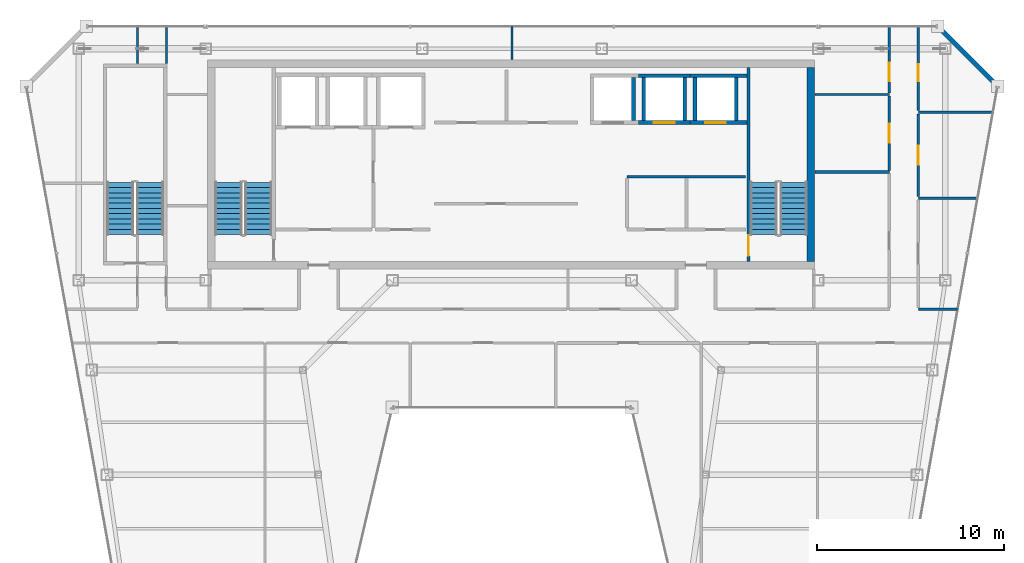
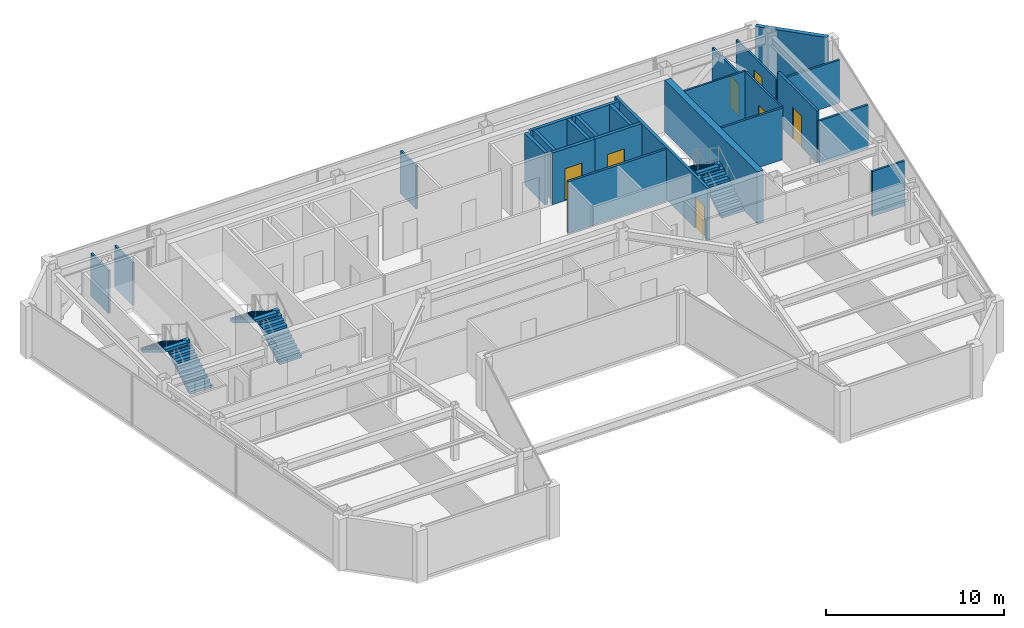
# One storey, part 29 of 32: 25 walls, 7 doors, 6 stair flights, 7 openings, 3 elements without a shape of their own.
"""IFC4 building model written with IfcOpenShell, lengths in metres."""

import ifcopenshell
import ifcopenshell.guid

model = None  # the IFC model being written
_history = None  # IfcOwnerHistory: only IFC2X3 demands one
_inside = {}  # id of a spatial element -> (the spatial element, [elements in it])
_under = {}  # id of a project, library or spatial element -> (it, [spatial elements below it])
_declared = {}  # id of a project -> (the project, [libraries it declares])
_typed = {}  # id of a type object -> (the type object, [elements of that type])
_made_of = {}  # id of a material, layer set ... -> (it, [elements and type objects made of it])


def new_model(schema):
    """Start an empty IFC model of exactly this schema.

    Asked for "IFC4X3", IfcOpenShell would pick the latest addendum, in which some entities
    have other attributes; the version numbers below select the first issue.
    IFC2X3 requires an IfcOwnerHistory on every rooted entity: one is made here for all.
    """
    global model, _history
    if schema == "IFC4X3":
        model = ifcopenshell.file(schema_version=(4, 3, 0, 0))
    else:
        model = ifcopenshell.file(schema=schema)
    _inside.clear()
    _under.clear()
    _declared.clear()
    _typed.clear()
    _made_of.clear()
    _history = None
    if model.schema == "IFC2X3":
        org = make("IfcOrganization", Name="unknown")
        user = make(
            "IfcPersonAndOrganization",
            ThePerson=make("IfcPerson", FamilyName="unknown"),
            TheOrganization=org,
        )
        app = make(
            "IfcApplication",
            ApplicationDeveloper=org,
            Version="unknown",
            ApplicationFullName="unknown",
            ApplicationIdentifier="unknown",
        )
        _history = make(
            "IfcOwnerHistory",
            OwningUser=user,
            OwningApplication=app,
            ChangeAction="ADDED",
            CreationDate=0,
        )
    return model


def make(cls, **values):
    """One entity of the class cls with the attributes given. An attribute that is None is left unset."""
    return model.create_entity(
        cls, **{name: value for name, value in values.items() if value is not None}
    )


def rooted(cls, **values):
    """An entity with a GlobalId (a new one), such as an element, a storey or a relation."""
    return make(cls, GlobalId=ifcopenshell.guid.new(), OwnerHistory=_history, **values)


def si_unit(unit_type, name, prefix=None):
    """IfcSIUnit, for example si_unit("LENGTHUNIT", "METRE", prefix="MILLI")."""
    return make("IfcSIUnit", UnitType=unit_type, Prefix=prefix, Name=name)


def assignment(units):
    """IfcUnitAssignment: the units of a project."""
    return None if units is None else make("IfcUnitAssignment", Units=units)


def point(xyz):
    """IfcCartesianPoint."""
    return None if xyz is None else make("IfcCartesianPoint", Coordinates=xyz)


def direction(xyz):
    """IfcDirection."""
    return None if xyz is None else make("IfcDirection", DirectionRatios=xyz)


def frame(location, z_axis=None, x_axis=None):
    """IfcAxis2Placement3D, a coordinate frame: its origin and axes. An axis left out is left unset."""
    return make(
        "IfcAxis2Placement3D",
        Location=point(location),
        Axis=direction(z_axis),
        RefDirection=direction(x_axis),
    )


def frame_2d(location, x_axis=None):
    """IfcAxis2Placement2D, a coordinate frame in the plane: its origin and x axis."""
    return make(
        "IfcAxis2Placement2D", Location=point(location), RefDirection=direction(x_axis)
    )


def origin():
    """The frame at (0, 0, 0) with its axes left unset."""
    return frame((0.0, 0.0, 0.0))


def place(relative_to, where):
    """IfcLocalPlacement: puts the frame where relative to a parent placement (None: the world)."""
    return make(
        "IfcLocalPlacement", PlacementRelTo=relative_to, RelativePlacement=where
    )


def context(
    kind, dimensions, precision=None, world=None, true_north=None, identifier=None
):
    """IfcGeometricRepresentationContext, for example the 3D "Model" context."""
    return make(
        "IfcGeometricRepresentationContext",
        ContextIdentifier=identifier,
        ContextType=kind,
        CoordinateSpaceDimension=dimensions,
        Precision=precision,
        WorldCoordinateSystem=world,
        TrueNorth=true_north,
    )


def subcontext(parent, identifier, kind, view, scale=None):
    """IfcGeometricRepresentationSubContext, for example "Body" below "Model"."""
    return make(
        "IfcGeometricRepresentationSubContext",
        ContextIdentifier=identifier,
        ContextType=kind,
        ParentContext=parent,
        TargetScale=scale,
        TargetView=view,
    )


def project(units=None, contexts=None):
    """IfcProject with its units and contexts."""
    return rooted(
        "IfcProject",
        Name="project",
        RepresentationContexts=contexts,
        UnitsInContext=assignment(units),
    )


def spatial(cls, under=None, at=None, **own):
    """A site, building, storey or space (cls), placed at a placement, below another one or the project."""
    s = rooted(cls, ObjectPlacement=at, **own)
    if under is not None:
        _under.setdefault(under.id(), (under, []))[1].append(s)
    return s


def polyline(points):
    """IfcPolyline through the points."""
    return make("IfcPolyline", Points=[point(p) for p in points])


def profile(cls, at=None, kind="AREA", **sizes):
    """A parametric profile (cls). Its sizes go by their IFC names, for example OverallWidth=200.0."""
    return make(cls, ProfileType=kind, Position=at, **sizes)


def rectangle(**sizes):
    """IfcRectangleProfileDef."""
    return profile("IfcRectangleProfileDef", **sizes)


def outline(outer, holes=None, kind="AREA"):
    """IfcArbitraryClosedProfileDef: a profile drawn as a closed curve; with holes, ...WithVoids."""
    if holes is None:
        return make("IfcArbitraryClosedProfileDef", ProfileType=kind, OuterCurve=outer)
    return make(
        "IfcArbitraryProfileDefWithVoids",
        ProfileType=kind,
        OuterCurve=outer,
        InnerCurves=holes,
    )


def extrude(swept, where, along, depth):
    """IfcExtrudedAreaSolid: the profile swept, set in the frame where, extruded along a direction by depth."""
    return make(
        "IfcExtrudedAreaSolid",
        SweptArea=swept,
        Position=where,
        ExtrudedDirection=direction(along),
        Depth=depth,
    )


def shape(context_of_items, identifier, shape_type, items):
    """IfcShapeRepresentation: the items that make up one representation, for example the "Body"."""
    return make(
        "IfcShapeRepresentation",
        ContextOfItems=context_of_items,
        RepresentationIdentifier=identifier,
        RepresentationType=shape_type,
        Items=items,
    )


def material(Name=None, Category=None):
    """IfcMaterial."""
    return make("IfcMaterial", Name=Name, Category=Category)


def layer(
    of_material, thickness, ventilated=None, Name=None, Category=None, Priority=None
):
    """IfcMaterialLayer: one layer of a wall or slab, of a material (None: an air gap)."""
    return make(
        "IfcMaterialLayer",
        Material=of_material,
        LayerThickness=thickness,
        IsVentilated=ventilated,
        Name=Name,
        Category=Category,
        Priority=Priority,
    )


def layer_set(layers, Name=None):
    """IfcMaterialLayerSet."""
    return make("IfcMaterialLayerSet", MaterialLayers=layers, LayerSetName=Name)


def made_of(thing, what):
    """Note that an element or type object is made of a material, layer set ...; save() writes the relation."""
    if what is not None:
        _made_of.setdefault(what.id(), (what, []))[1].append(thing)
    return thing


def type_object(cls, material=None, **own):
    """A type object (cls), such as IfcWallType, which elements share."""
    return made_of(rooted(cls, **own), material)


def element(
    cls,
    number,
    at=None,
    inside=None,
    cuts=None,
    type_object=None,
    material=None,
    context=None,
    identifier="Body",
    shape_type=None,
    held_by="IfcProductDefinitionShape",
    body=None,
    shapes=None,
    **own,
):
    """One element of the class cls, such as IfcWall. Its Tag is "e" and its number.

    at: its placement. inside: the storey or other place that contains it. cuts: it is an
    opening in that element (IfcRelVoidsElement). A single representation is given by context,
    identifier, shape_type and body (its items); several are given by shapes. held_by: the class
    of the entity that holds the representations. save() writes the other relations.
    """
    e = rooted(cls, Tag="e%d" % number, ObjectPlacement=at, **own)
    if body is not None:
        shapes = [shape(context, identifier, shape_type, body)]
    if shapes is not None:
        e.Representation = make(held_by, Representations=shapes)
    if inside is not None:
        _inside.setdefault(inside.id(), (inside, []))[1].append(e)
    if cuts is not None:
        rooted(
            "IfcRelVoidsElement", RelatingBuildingElement=cuts, RelatedOpeningElement=e
        )
    if type_object is not None:
        _typed.setdefault(type_object.id(), (type_object, []))[1].append(e)
    return made_of(e, material)


def fill(opening, filler):
    """IfcRelFillsElement: the door or window that sits in an opening."""
    return rooted(
        "IfcRelFillsElement",
        RelatingOpeningElement=opening,
        RelatedBuildingElement=filler,
    )


def aggregate(whole, parts):
    """IfcRelAggregates: a whole, such as a stair, and the parts it consists of."""
    return rooted("IfcRelAggregates", RelatingObject=whole, RelatedObjects=parts)


def save(model, path):
    """Write the relations noted so far, then the file.

    IfcRelAggregates (storeys below a building ...), IfcRelContainedInSpatialStructure (elements
    in a storey), IfcRelDefinesByType, IfcRelAssociatesMaterial and IfcRelDeclares: one each for
    every whole, place, type object, material and project.
    """
    for whole, parts in _under.values():
        aggregate(whole, parts)
    for where, things in _inside.values():
        rooted(
            "IfcRelContainedInSpatialStructure",
            RelatedElements=things,
            RelatingStructure=where,
        )
    for kind, things in _typed.values():
        rooted("IfcRelDefinesByType", RelatedObjects=things, RelatingType=kind)
    for what, things in _made_of.values():
        rooted("IfcRelAssociatesMaterial", RelatedObjects=things, RelatingMaterial=what)
    for by, libraries in _declared.values():
        rooted("IfcRelDeclares", RelatingContext=by, RelatedDefinitions=libraries)
    model.write(path)


model = new_model("IFC4")

# Units and contexts
model_context = context("Model", 3, precision=1e-05, world=origin(), true_north=direction((0.0, 1.0)))
body_context = subcontext(model_context, "Body", "Model", "MODEL_VIEW")
ifc_project = project(units=[si_unit("LENGTHUNIT", "METRE"), si_unit("AREAUNIT", "SQUARE_METRE"), si_unit("VOLUMEUNIT", "CUBIC_METRE"), si_unit("PLANEANGLEUNIT", "RADIAN"), si_unit("MASSUNIT", "GRAM", prefix="KILO")], contexts=[model_context])

# Site, building, storey
site_placement = place(None, origin())
site = spatial("IfcSite", under=ifc_project, at=site_placement, CompositionType="ELEMENT")
building_placement = place(site_placement, origin())
building = spatial("IfcBuilding", under=site, at=building_placement, Name="Saevonmaru Cultural Tower", CompositionType="ELEMENT")
storey_placement = place(building_placement, frame((0.0, 0.0, 261.0)))
storey = spatial("IfcBuildingStorey", under=building, at=storey_placement, Name="L61", CompositionType="ELEMENT", Elevation=261.0)

# Walls
ifc_material_1 = material(Name="Concrete C50/60", Category="concrete")
ifc_layer_1 = layer(ifc_material_1, 0.39990234375, Name="Concrete C50/60")
ifc_layer_set_1 = layer_set([ifc_layer_1], Name="Concrete C50/60")
wall_type_1 = type_object("IfcWallType", Name="WL-CORE-400", PredefinedType="SHEAR", material=ifc_layer_set_1)
wall_1_placement = place(storey_placement, frame((46.0, 43.39990234375, 0.0), z_axis=(0.0, 0.0, 1.0), x_axis=(0.0, 1.0, 0.0)))
element("IfcWall", 1, at=wall_1_placement, inside=storey, type_object=wall_type_1, Name="L61 Tower RC core shear wall E", PredefinedType="SHEAR", context=body_context, shape_type="SweptSolid", body=[
    extrude(rectangle(XDim=10.400146484375, YDim=0.39990234375, at=frame_2d((5.2001953125, 0.0))), origin(), (0.0, 0.0, 1.0), 3.550048828125),
])
ifc_material_2 = material(Name="Gypsum Fireboard Partition", Category="gypsum")
ifc_layer_2 = layer(ifc_material_2, 0.14990234375, Name="Gypsum Fireboard Partition")
ifc_layer_set_2 = layer_set([ifc_layer_2], Name="Gypsum Fireboard Partition")
wall_type_2 = type_object("IfcWallType", Name="WL-CORE-PART-150", PredefinedType="PARTITIONING", material=ifc_layer_set_2)
wall_2_placement = place(storey_placement, frame((36.14990234375, 47.949951171875, 0.0), z_axis=(0.0, 0.0, 1.0), x_axis=(1.0, 0.0, 0.0)))
element("IfcWall", 2, at=wall_2_placement, inside=storey, type_object=wall_type_2, Name="L61 Core Cluster North Wall", PredefinedType="PARTITIONING", context=body_context, shape_type="SweptSolid", body=[
    extrude(rectangle(XDim=6.35009765625, YDim=0.14990234375, at=frame_2d((3.175048828125, 0.0))), origin(), (0.0, 0.0, 1.0), 3.550048828125),
])
ifc_material_3 = material(Name="Granite-Clad Precast Concrete C40/50", Category="masonry")
ifc_layer_3 = layer(ifc_material_3, 0.260009765625, Name="Granite-Clad Precast Concrete C40/50")
ifc_layer_set_3 = layer_set([ifc_layer_3], Name="Granite-Clad Precast Concrete C40/50")
wall_type_3 = type_object("IfcWallType", Name="WL-EXT-SPANDREL-260", PredefinedType="STANDARD", material=ifc_layer_set_3)
wall_3_placement = place(storey_placement, frame((55.886962890625, 52.9130859375, 0.0), z_axis=(0.0, 0.0, 1.0), x_axis=(-0.707106781187, 0.707106781187, 0.0)))
element("IfcWall", 3, at=wall_3_placement, inside=storey, type_object=wall_type_3, Name="L61 Chamfer Corner Spandrel Wall E9", PredefinedType="STANDARD", context=body_context, shape_type="SweptSolid", body=[
    extrude(rectangle(XDim=4.205810546875, YDim=0.260009765625, at=frame_2d((2.10302734375, 0.0))), origin(), (0.0, 0.0, 1.0), 3.550048828125),
])

# Wall, opening, door
ifc_layer_4 = layer(ifc_material_2, 0.14990234375, Name="Gypsum Fireboard Partition")
ifc_layer_set_4 = layer_set([ifc_layer_4], Name="Gypsum Fireboard Partition")
wall_type_4 = type_object("IfcWallType", Name="WL-PART-FIRE-150", PredefinedType="PARTITIONING", material=ifc_layer_set_4)
wall_4_placement = place(storey_placement, frame((51.75, 46.887451171875, 0.0), z_axis=(0.0, 0.0, 1.0), x_axis=(0.0, 1.0, 0.0)))
wall_4 = element("IfcWall", 4, at=wall_4_placement, inside=storey, type_object=wall_type_4, Name="L61 Acoustic Chamber Auditorium Corridor Wall", PredefinedType="PARTITIONING", context=body_context, shape_type="SweptSolid", body=[
    extrude(rectangle(XDim=4.425048828125, YDim=0.14990234375, at=frame_2d((2.21240234375, 0.0))), origin(), (0.0, 0.0, 1.0), 3.550048828125),
])
opening_1_placement = place(wall_4_placement, frame((1.7119140625, 0.0, 0.0)))
opening_1 = element("IfcOpeningElement", 5, at=opening_1_placement, cuts=wall_4, Name="Opening ID-1B", PredefinedType="OPENING", context=body_context, shape_type="SweptSolid", body=[
    extrude(rectangle(XDim=1.0, YDim=2.14990234375, at=frame_2d((0.5, 1.074951171875))), frame((0.0, 0.0849609375, 0.0), z_axis=(0.0, -1.0, 0.0), x_axis=(1.0, 0.0, 0.0)), (0.0, 0.0, 1.0), 0.169921875),
])
ifc_material_4 = material(Name="Acoustic Stained Oak Timber", Category="wood")
door_type_1 = type_object("IfcDoorType", Name="DR-INT-1000", OperationType="SINGLE_SWING_RIGHT", PredefinedType="DOOR", material=ifc_material_4)
door_1_placement = place(opening_1_placement, origin())
door_1 = element("IfcDoor", 6, at=door_1_placement, inside=storey, type_object=door_type_1, Name="L61 Acoustic Chamber Auditorium Door", OperationType="SINGLE_SWING_RIGHT", OverallHeight=2.14990234375, OverallWidth=1.0, PredefinedType="DOOR", context=body_context, shape_type="SweptSolid", body=[
    extrude(rectangle(XDim=1.0, YDim=2.14990234375, at=frame_2d((0.5, 1.074951171875))), frame((0.0, 0.02490234375, 0.0), z_axis=(0.0, -1.0, 0.0), x_axis=(1.0, 0.0, 0.0)), (0.0, 0.0, 1.0), 0.050048828125),
])
fill(opening_1, door_1)

# Walls
ifc_layer_5 = layer(ifc_material_2, 0.1201171875, Name="Gypsum Fireboard Partition")
ifc_layer_set_5 = layer_set([ifc_layer_5], Name="Gypsum Fireboard Partition")
wall_type_5 = type_object("IfcWallType", Name="WL-PART-GYP-120", PredefinedType="PARTITIONING", material=ifc_layer_set_5)
wall_5_placement = place(storey_placement, frame((46.219970703125, 52.35009765625, 0.0), z_axis=(0.0, 0.0, 1.0), x_axis=(1.0, 0.0, 0.0)))
element("IfcWall", 7, at=wall_5_placement, inside=storey, type_object=wall_type_5, Name="L61 North-East Panorama South Wall", PredefinedType="PARTITIONING", context=body_context, shape_type="SweptSolid", body=[
    extrude(rectangle(XDim=3.97998046875, YDim=0.1201171875, at=frame_2d((1.989990234375, 0.0))), origin(), (0.0, 0.0, 1.0), 3.550048828125),
])
wall_6_placement = place(storey_placement, frame((30.0, 54.219970703125, 0.0), z_axis=(0.0, 0.0, 1.0), x_axis=(0.0, 1.0, 0.0)))
element("IfcWall", 8, at=wall_6_placement, inside=storey, type_object=wall_type_5, Name="L61 North Panorama Center Split", PredefinedType="PARTITIONING", context=body_context, shape_type="SweptSolid", body=[
    extrude(rectangle(XDim=1.775146484375, YDim=0.1201171875, at=frame_2d((0.8876953125, 0.0))), origin(), (0.0, 0.0, 1.0), 2.93505859375),
])

# Wall, opening, door
wall_7_placement = place(storey_placement, frame((50.199951171875, 48.2900390625, 0.0), z_axis=(0.0, 0.0, 1.0), x_axis=(0.0, 1.0, 0.0)))
wall_7 = element("IfcWall", 9, at=wall_7_placement, inside=storey, type_object=wall_type_5, Name="L61 Museum Espresso Cafe Corridor Wall", PredefinedType="PARTITIONING", context=body_context, shape_type="SweptSolid", body=[
    extrude(rectangle(XDim=3.97998046875, YDim=0.1201171875, at=frame_2d((1.989990234375, 0.0))), origin(), (0.0, 0.0, 1.0), 3.550048828125),
])
opening_2_placement = place(wall_7_placement, frame((1.489990234375, 0.0, 0.0)))
opening_2 = element("IfcOpeningElement", 10, at=opening_2_placement, cuts=wall_7, Name="Opening ID-1B", PredefinedType="OPENING", context=body_context, shape_type="SweptSolid", body=[
    extrude(rectangle(XDim=1.0, YDim=2.14990234375, at=frame_2d((0.5, 1.074951171875))), frame((0.0, 0.070068359375, 0.0), z_axis=(0.0, -1.0, 0.0), x_axis=(1.0, 0.0, 0.0)), (0.0, 0.0, 1.0), 0.14013671875),
])
door_2_placement = place(opening_2_placement, origin())
door_2 = element("IfcDoor", 11, at=door_2_placement, inside=storey, type_object=door_type_1, Name="L61 Museum Espresso Cafe Door", OperationType="SINGLE_SWING_LEFT", OverallHeight=2.14990234375, OverallWidth=1.0, PredefinedType="DOOR", context=body_context, shape_type="SweptSolid", body=[
    extrude(rectangle(XDim=1.0, YDim=2.14990234375, at=frame_2d((0.5, 1.074951171875))), frame((0.0, 0.02490234375, 0.0), z_axis=(0.0, -1.0, 0.0), x_axis=(1.0, 0.0, 0.0)), (0.0, 0.0, 1.0), 0.050048828125),
])
fill(opening_2, door_2)

wall_8_placement = place(storey_placement, frame((50.199951171875, 52.429931640625, 0.0), z_axis=(0.0, 0.0, 1.0), x_axis=(0.0, 1.0, 0.0)))
wall_8 = element("IfcWall", 12, at=wall_8_placement, inside=storey, type_object=wall_type_5, Name="L61 Panoramic Salon Restaurant Corridor Wall", PredefinedType="PARTITIONING", context=body_context, shape_type="SweptSolid", body=[
    extrude(rectangle(XDim=3.565185546875, YDim=0.1201171875, at=frame_2d((1.78271484375, 0.0))), origin(), (0.0, 0.0, 1.0), 2.93505859375),
])
opening_3_placement = place(wall_8_placement, frame((0.6220703125, 0.0, 0.0)))
opening_3 = element("IfcOpeningElement", 13, at=opening_3_placement, cuts=wall_8, Name="Opening ID-1B", PredefinedType="OPENING", context=body_context, shape_type="SweptSolid", body=[
    extrude(rectangle(XDim=1.0, YDim=2.14990234375, at=frame_2d((0.5, 1.074951171875))), frame((0.0, 0.070068359375, 0.0), z_axis=(0.0, -1.0, 0.0), x_axis=(1.0, 0.0, 0.0)), (0.0, 0.0, 1.0), 0.14013671875),
])
door_3_placement = place(opening_3_placement, origin())
door_3 = element("IfcDoor", 14, at=door_3_placement, inside=storey, type_object=door_type_1, Name="L61 Panoramic Salon Restaurant Door", OperationType="SINGLE_SWING_RIGHT", OverallHeight=2.14990234375, OverallWidth=1.0, PredefinedType="DOOR", context=body_context, shape_type="SweptSolid", body=[
    extrude(rectangle(XDim=1.0, YDim=2.14990234375, at=frame_2d((0.5, 1.074951171875))), frame((0.0, 0.02490234375, 0.0), z_axis=(0.0, -1.0, 0.0), x_axis=(1.0, 0.0, 0.0)), (0.0, 0.0, 1.0), 0.050048828125),
])
fill(opening_3, door_3)

# Walls
for number, where, z_axis, x_axis, name in (
    (15, (11.5, 54.0, 0.0), (0.0, 0.0, 1.0), (0.0, 1.0, 0.0), "L61 Terrace Overlook Cafe Corridor Wall"),
    (16, (9.949951171875, 54.0, 0.0), (0.0, 0.0, 1.0), (0.0, 1.0, 0.0), "L61 Panoramic Salon Restaurant Corridor Wall"),
):
    element("IfcWall", number, at=place(storey_placement, frame(where, z_axis=z_axis, x_axis=x_axis)), inside=storey, type_object=wall_type_5, Name=name, PredefinedType="PARTITIONING", context=body_context, shape_type="SweptSolid", body=[
        extrude(rectangle(XDim=1.9951171875, YDim=0.1201171875, at=frame_2d((0.99755859375, 0.0))), origin(), (0.0, 0.0, 1.0), 2.93505859375),
    ])

# Wall, opening, door
wall_9_placement = place(storey_placement, frame((51.75, 51.487548828125, 0.0), z_axis=(0.0, 0.0, 1.0), x_axis=(0.0, 1.0, 0.0)))
wall_9 = element("IfcWall", 17, at=wall_9_placement, inside=storey, type_object=wall_type_5, Name="L61 Visiting Fellows Office Corridor Wall", PredefinedType="PARTITIONING", context=body_context, shape_type="SweptSolid", body=[
    extrude(rectangle(XDim=4.507568359375, YDim=0.1201171875, at=frame_2d((2.25390625, 0.0))), origin(), (0.0, 0.0, 1.0), 2.93505859375),
])
opening_4_placement = place(wall_9_placement, frame((1.583984375, 0.0, 0.0)))
opening_4 = element("IfcOpeningElement", 18, at=opening_4_placement, cuts=wall_9, Name="Opening ID-2", PredefinedType="OPENING", context=body_context, shape_type="SweptSolid", body=[
    extrude(rectangle(XDim=0.89990234375, YDim=2.10009765625, at=frame_2d((0.449951171875, 1.050048828125))), frame((0.0, 0.070068359375, 0.0), z_axis=(0.0, -1.0, 0.0), x_axis=(1.0, 0.0, 0.0)), (0.0, 0.0, 1.0), 0.14013671875),
])
door_type_2 = type_object("IfcDoorType", Name="DR-INT-900", OperationType="SINGLE_SWING_RIGHT", PredefinedType="DOOR", material=ifc_material_4)
door_4_placement = place(opening_4_placement, origin())
door_4 = element("IfcDoor", 19, at=door_4_placement, inside=storey, type_object=door_type_2, Name="L61 Visiting Fellows Office Door", OperationType="SINGLE_SWING_LEFT", OverallHeight=2.10009765625, OverallWidth=0.89990234375, PredefinedType="DOOR", context=body_context, shape_type="SweptSolid", body=[
    extrude(rectangle(XDim=0.89990234375, YDim=2.10009765625, at=frame_2d((0.449951171875, 1.050048828125))), frame((0.0, 0.02490234375, 0.0), z_axis=(0.0, -1.0, 0.0), x_axis=(1.0, 0.0, 0.0)), (0.0, 0.0, 1.0), 0.050048828125),
])
fill(opening_4, door_4)

# Walls
ifc_layer_6 = layer(ifc_material_2, 0.135009765625, Name="Gypsum Fireboard Partition")
ifc_layer_set_6 = layer_set([ifc_layer_6], Name="Gypsum Fireboard Partition")
wall_type_6 = type_object("IfcWallType", Name="WL-PART-GYP-135", PredefinedType="PARTITIONING", material=ifc_layer_set_6)
wall_10_placement = place(storey_placement, frame((51.75, 40.85009765625, 0.0), z_axis=(0.0, 0.0, 1.0), x_axis=(1.0, 0.0, 0.0)))
element("IfcWall", 20, at=wall_10_placement, inside=storey, type_object=wall_type_6, Name="L61 NE Wing South Wall", PredefinedType="PARTITIONING", context=body_context, shape_type="SweptSolid", body=[
    extrude(rectangle(XDim=2.106689453125, YDim=0.135009765625, at=frame_2d((1.05322265625, 0.0))), origin(), (0.0, 0.0, 1.0), 3.0849609375),
])
wall_11_placement = place(storey_placement, frame((51.75, 46.800048828125, 0.0), z_axis=(0.0, 0.0, 1.0), x_axis=(1.0, 0.0, 0.0)))
element("IfcWall", 21, at=wall_11_placement, inside=storey, type_object=wall_type_6, Name="L61 NE Studio Divider 1", PredefinedType="PARTITIONING", context=body_context, shape_type="SweptSolid", body=[
    extrude(rectangle(XDim=3.17138671875, YDim=0.135009765625, at=frame_2d((1.585693359375, 0.0))), origin(), (0.0, 0.0, 1.0), 2.947021484375),
])
wall_12_placement = place(storey_placement, frame((51.75, 51.39990234375, 0.0), z_axis=(0.0, 0.0, 1.0), x_axis=(1.0, 0.0, 0.0)))
element("IfcWall", 22, at=wall_12_placement, inside=storey, type_object=wall_type_6, Name="L61 NE Studio Divider 2", PredefinedType="PARTITIONING", context=body_context, shape_type="SweptSolid", body=[
    extrude(rectangle(XDim=3.994384765625, YDim=0.135009765625, at=frame_2d((1.9970703125, 0.0))), origin(), (0.0, 0.0, 1.0), 2.947021484375),
])
ifc_layer_7 = layer(ifc_material_2, 0.139892578125, Name="Gypsum Fireboard Partition")
ifc_layer_set_7 = layer_set([ifc_layer_7], Name="Gypsum Fireboard Partition")
wall_type_7 = type_object("IfcWallType", Name="WL-PART-WET-140", PredefinedType="PARTITIONING", material=ifc_layer_set_7)
wall_13_placement = place(storey_placement, frame((46.219970703125, 48.199951171875, 0.0), z_axis=(0.0, 0.0, 1.0), x_axis=(1.0, 0.0, 0.0)))
element("IfcWall", 23, at=wall_13_placement, inside=storey, type_object=wall_type_7, Name="L61 Washroom North Wall", PredefinedType="PARTITIONING", context=body_context, shape_type="SweptSolid", body=[
    extrude(rectangle(XDim=3.97998046875, YDim=0.139892578125, at=frame_2d((1.989990234375, 0.0))), origin(), (0.0, 0.0, 1.0), 3.550048828125),
])
ifc_material_5 = material(Name="Concrete C40/50", Category="concrete")
ifc_layer_8 = layer(ifc_material_5, 0.199951171875, Name="Concrete C40/50")
ifc_layer_set_8 = layer_set([ifc_layer_8], Name="Concrete C40/50")
wall_type_8 = type_object("IfcWallType", Name="WL-SHAFT-200", PredefinedType="SHEAR", material=ifc_layer_set_8)
wall_14_placement = place(storey_placement, frame((36.5, 50.949951171875, 0.0), z_axis=(0.0, 0.0, 1.0), x_axis=(0.0, 1.0, 0.0)))
element("IfcWall", 24, at=wall_14_placement, inside=storey, type_object=wall_type_8, Name="L61 Lift PL-H1 Hoistway Wall E", PredefinedType="SHEAR", context=body_context, shape_type="SweptSolid", body=[
    extrude(rectangle(XDim=2.300048828125, YDim=0.199951171875, at=frame_2d((1.14990234375, 0.0))), origin(), (0.0, 0.0, 1.0), 3.550048828125),
])

# Wall, opening, door
wall_15_placement = place(storey_placement, frame((36.77490234375, 50.85009765625, 0.0), z_axis=(0.0, 0.0, 1.0), x_axis=(1.0, 0.0, 0.0)))
wall_15 = element("IfcWall", 25, at=wall_15_placement, inside=storey, type_object=wall_type_8, Name="L61 Lift PL-H2 Hoistway Wall S", PredefinedType="SHEAR", context=body_context, shape_type="SweptSolid", body=[
    extrude(rectangle(XDim=2.75, YDim=0.199951171875, at=frame_2d((1.375, 0.0))), origin(), (0.0, 0.0, 1.0), 3.550048828125),
])
opening_5_placement = place(wall_15_placement, frame((0.824951171875, 0.0, 0.0)))
opening_5 = element("IfcOpeningElement", 26, at=opening_5_placement, cuts=wall_15, Name="Opening LD-1", PredefinedType="OPENING", context=body_context, shape_type="SweptSolid", body=[
    extrude(rectangle(XDim=1.10009765625, YDim=2.199951171875, at=frame_2d((0.550048828125, 1.10009765625))), frame((0.0, 0.10986328125, 0.0), z_axis=(0.0, -1.0, 0.0), x_axis=(1.0, 0.0, 0.0)), (0.0, 0.0, 1.0), 0.219970703125),
])
ifc_material_6 = material(Name="Satin Bronze Stainless Steel", Category="steel")
door_type_3 = type_object("IfcDoorType", Name="DR-LIFT-1100", OperationType="SLIDING_TO_LEFT", PredefinedType="DOOR", material=ifc_material_6)
door_5_placement = place(opening_5_placement, origin())
door_5 = element("IfcDoor", 27, at=door_5_placement, inside=storey, type_object=door_type_3, Name="L61 Lift PL-H2 Sliding Landing Door", OperationType="SLIDING_TO_LEFT", OverallHeight=2.199951171875, OverallWidth=1.10009765625, PredefinedType="DOOR", context=body_context, shape_type="SweptSolid", body=[
    extrude(rectangle(XDim=1.10009765625, YDim=2.199951171875, at=frame_2d((0.550048828125, 1.10009765625))), frame((0.0, 0.02490234375, 0.0), z_axis=(0.0, -1.0, 0.0), x_axis=(1.0, 0.0, 0.0)), (0.0, 0.0, 1.0), 0.050048828125),
])
fill(opening_5, door_5)

# Walls
wall_16_placement = place(storey_placement, frame((36.77490234375, 53.35009765625, 0.0), z_axis=(0.0, 0.0, 1.0), x_axis=(1.0, 0.0, 0.0)))
element("IfcWall", 28, at=wall_16_placement, inside=storey, type_object=wall_type_8, Name="L61 Lift PL-H2 Hoistway Wall N", PredefinedType="SHEAR", context=body_context, shape_type="SweptSolid", body=[
    extrude(rectangle(XDim=2.75, YDim=0.199951171875, at=frame_2d((1.375, 0.0))), origin(), (0.0, 0.0, 1.0), 3.550048828125),
])
for number, where, z_axis, x_axis, name in (
    (29, (37.050048828125, 50.949951171875, 0.0), (0.0, 0.0, 1.0), (0.0, 1.0, 0.0), "L61 Lift PL-H2 Hoistway Wall W"),
    (30, (39.25, 50.949951171875, 0.0), (0.0, 0.0, 1.0), (0.0, 1.0, 0.0), "L61 Lift PL-H2 Hoistway Wall E"),
):
    element("IfcWall", number, at=place(storey_placement, frame(where, z_axis=z_axis, x_axis=x_axis)), inside=storey, type_object=wall_type_8, Name=name, PredefinedType="SHEAR", context=body_context, shape_type="SweptSolid", body=[
        extrude(rectangle(XDim=2.300048828125, YDim=0.199951171875, at=frame_2d((1.14990234375, 0.0))), origin(), (0.0, 0.0, 1.0), 3.550048828125),
    ])

# Wall, opening, door
wall_17_placement = place(storey_placement, frame((39.52490234375, 50.85009765625, 0.0), z_axis=(0.0, 0.0, 1.0), x_axis=(1.0, 0.0, 0.0)))
wall_17 = element("IfcWall", 31, at=wall_17_placement, inside=storey, type_object=wall_type_8, Name="L61 Lift PL-H3 Hoistway Wall S", PredefinedType="SHEAR", context=body_context, shape_type="SweptSolid", body=[
    extrude(rectangle(XDim=3.045166015625, YDim=0.199951171875, at=frame_2d((1.5224609375, 0.0))), origin(), (0.0, 0.0, 1.0), 3.550048828125),
])
opening_6_placement = place(wall_17_placement, frame((0.824951171875, 0.0, 0.0)))
opening_6 = element("IfcOpeningElement", 32, at=opening_6_placement, cuts=wall_17, Name="Opening LD-1", PredefinedType="OPENING", context=body_context, shape_type="SweptSolid", body=[
    extrude(rectangle(XDim=1.10009765625, YDim=2.199951171875, at=frame_2d((0.550048828125, 1.10009765625))), frame((0.0, 0.10986328125, 0.0), z_axis=(0.0, -1.0, 0.0), x_axis=(1.0, 0.0, 0.0)), (0.0, 0.0, 1.0), 0.219970703125),
])
door_6_placement = place(opening_6_placement, origin())
door_6 = element("IfcDoor", 33, at=door_6_placement, inside=storey, type_object=door_type_3, Name="L61 Lift PL-H3 Sliding Landing Door", OperationType="SLIDING_TO_LEFT", OverallHeight=2.199951171875, OverallWidth=1.10009765625, PredefinedType="DOOR", context=body_context, shape_type="SweptSolid", body=[
    extrude(rectangle(XDim=1.10009765625, YDim=2.199951171875, at=frame_2d((0.550048828125, 1.10009765625))), frame((0.0, 0.02490234375, 0.0), z_axis=(0.0, -1.0, 0.0), x_axis=(1.0, 0.0, 0.0)), (0.0, 0.0, 1.0), 0.050048828125),
])
fill(opening_6, door_6)

# Walls
wall_18_placement = place(storey_placement, frame((39.52490234375, 53.35009765625, 0.0), z_axis=(0.0, 0.0, 1.0), x_axis=(1.0, 0.0, 0.0)))
element("IfcWall", 34, at=wall_18_placement, inside=storey, type_object=wall_type_8, Name="L61 Lift PL-H3 Hoistway Wall N", PredefinedType="SHEAR", context=body_context, shape_type="SweptSolid", body=[
    extrude(rectangle(XDim=3.045166015625, YDim=0.199951171875, at=frame_2d((1.5224609375, 0.0))), origin(), (0.0, 0.0, 1.0), 3.550048828125),
])
for number, where, z_axis, x_axis, name in (
    (35, (39.800048828125, 50.949951171875, 0.0), (0.0, 0.0, 1.0), (0.0, 1.0, 0.0), "L61 Lift PL-H3 Hoistway Wall W"),
    (36, (42.0, 50.949951171875, 0.0), (0.0, 0.0, 1.0), (0.0, 1.0, 0.0), "L61 Lift PL-H3 Hoistway Wall E"),
):
    element("IfcWall", number, at=place(storey_placement, frame(where, z_axis=z_axis, x_axis=x_axis)), inside=storey, type_object=wall_type_8, Name=name, PredefinedType="SHEAR", context=body_context, shape_type="SweptSolid", body=[
        extrude(rectangle(XDim=2.300048828125, YDim=0.199951171875, at=frame_2d((1.14990234375, 0.0))), origin(), (0.0, 0.0, 1.0), 3.550048828125),
    ])

# Wall, opening, door
ifc_layer_9 = layer(ifc_material_5, 0.179931640625, Name="Concrete C40/50")
ifc_layer_set_9 = layer_set([ifc_layer_9], Name="Concrete C40/50")
wall_type_9 = type_object("IfcWallType", Name="WL-STSHAFT-180", PredefinedType="SHEAR", material=ifc_layer_set_9)
wall_19_placement = place(storey_placement, frame((42.659912109375, 53.800048828125, 0.0), z_axis=(0.0, 0.0, 1.0), x_axis=(0.0, -1.0, 0.0)))
wall_19 = element("IfcWall", 37, at=wall_19_placement, inside=storey, type_object=wall_type_9, Name="L61 Stair ST-2 Structural Shaft Wall 1", PredefinedType="SHEAR", context=body_context, shape_type="SweptSolid", body=[
    extrude(rectangle(XDim=10.400146484375, YDim=0.179931640625, at=frame_2d((5.2001953125, 0.0))), origin(), (0.0, 0.0, 1.0), 3.550048828125),
])
opening_7_placement = place(wall_19_placement, frame((8.989990234375, 0.0, 0.0)))
opening_7 = element("IfcOpeningElement", 38, at=opening_7_placement, cuts=wall_19, Name="Opening FD-2", PredefinedType="OPENING", context=body_context, shape_type="SweptSolid", body=[
    extrude(rectangle(XDim=1.10009765625, YDim=2.14990234375, at=frame_2d((0.550048828125, 1.074951171875))), frame((0.0, 0.10009765625, 0.0), z_axis=(0.0, -1.0, 0.0), x_axis=(1.0, 0.0, 0.0)), (0.0, 0.0, 1.0), 0.199951171875),
])
ifc_material_7 = material(Name="Satin Bronze Anodised Aluminium", Category="aluminium")
door_type_4 = type_object("IfcDoorType", Name="DR-FD60-1100", OperationType="SINGLE_SWING_LEFT", PredefinedType="DOOR", material=ifc_material_7)
door_7_placement = place(opening_7_placement, origin())
door_7 = element("IfcDoor", 39, at=door_7_placement, inside=storey, type_object=door_type_4, Name="L61 Protected Stair ST-2 Fire Door", OperationType="SINGLE_SWING_LEFT", OverallHeight=2.14990234375, OverallWidth=1.10009765625, PredefinedType="DOOR", context=body_context, shape_type="SweptSolid", body=[
    extrude(rectangle(XDim=1.10009765625, YDim=2.14990234375, at=frame_2d((0.550048828125, 1.074951171875))), frame((0.0, 0.02490234375, 0.0), z_axis=(0.0, -1.0, 0.0), x_axis=(1.0, 0.0, 0.0)), (0.0, 0.0, 1.0), 0.050048828125),
])
fill(opening_7, door_7)

# Stair, stair flights
stair_type = type_object("IfcStairType", Name="STR-DOGLEG-RC", PredefinedType="HALF_TURN_STAIR", material=ifc_material_5)
stair_1_placement = place(storey_placement, origin())
stair_1 = element("IfcStair", 40, at=stair_1_placement, inside=storey, type_object=stair_type, Name="L61 Protected exit stair ST-1", PredefinedType="HALF_TURN_STAIR")
ifc_material_8 = material(Name="Precast concrete C40/50", Category="concrete")
stair_flight_type = type_object("IfcStairFlightType", Name="STF-PRECAST-180", PredefinedType="STRAIGHT", material=ifc_material_8)
stair_flight_1_placement = place(storey_placement, frame((16.425048828125, 44.85009765625, 0.0), z_axis=(0.0, 0.0, 1.0), x_axis=(0.0, 1.0, 0.0)))
stair_flight_1 = element("IfcStairFlight", 41, at=stair_flight_1_placement, type_object=stair_flight_type, Name="ST-1-L61 flight 1", NumberOfRisers=11, NumberOfTreads=10, PredefinedType="STRAIGHT", RiserHeight=0.172727273, TreadLength=0.28, context=body_context, shape_type="SweptSolid", body=[
    extrude(outline(polyline([(0.0, 0.0), (0.0, 0.172607421875), (0.280029296875, 0.172607421875), (0.280029296875, 0.345458984375), (0.56005859375, 0.345458984375), (0.56005859375, 0.51806640625), (0.840087890625, 0.51806640625), (0.840087890625, 0.69091796875), (1.1201171875, 0.69091796875), (1.1201171875, 0.863525390625), (1.39990234375, 0.863525390625), (1.39990234375, 1.036376953125), (1.679931640625, 1.036376953125), (1.679931640625, 1.208984375), (1.9599609375, 1.208984375), (1.9599609375, 1.3818359375), (2.239990234375, 1.3818359375), (2.239990234375, 1.554443359375), (2.52001953125, 1.554443359375), (2.52001953125, 1.727294921875), (2.800048828125, 1.727294921875), (2.800048828125, 1.89990234375), (2.800048828125, 1.551025390625), (0.285400390625, 0.0), (0.0, 0.0)])), frame((0.0, 0.72509765625, 0.0), z_axis=(0.0, -1.0, 0.0), x_axis=(1.0, 0.0, 0.0)), (0.0, 0.0, 1.0), 1.449951171875),
])
stair_flight_2_placement = place(storey_placement, frame((14.824951171875, 47.64990234375, 1.89990234375), z_axis=(0.0, 0.0, 1.0), x_axis=(0.0, -1.0, 0.0)))
stair_flight_2 = element("IfcStairFlight", 42, at=stair_flight_2_placement, type_object=stair_flight_type, Name="ST-1-L61 flight 2", NumberOfRisers=11, NumberOfTreads=10, PredefinedType="STRAIGHT", RiserHeight=0.172727273, TreadLength=0.28, context=body_context, shape_type="SweptSolid", body=[
    extrude(outline(polyline([(0.0, 0.0), (0.0, 0.172607421875), (0.280029296875, 0.172607421875), (0.280029296875, 0.345458984375), (0.56005859375, 0.345458984375), (0.56005859375, 0.51806640625), (0.840087890625, 0.51806640625), (0.840087890625, 0.69091796875), (1.1201171875, 0.69091796875), (1.1201171875, 0.863525390625), (1.39990234375, 0.863525390625), (1.39990234375, 1.036376953125), (1.679931640625, 1.036376953125), (1.679931640625, 1.208984375), (1.9599609375, 1.208984375), (1.9599609375, 1.3818359375), (2.239990234375, 1.3818359375), (2.239990234375, 1.554443359375), (2.52001953125, 1.554443359375), (2.52001953125, 1.727294921875), (2.800048828125, 1.727294921875), (2.800048828125, 1.89990234375), (2.800048828125, 1.551025390625), (0.285400390625, 0.0), (0.0, 0.0)])), frame((0.0, 0.72509765625, 0.0), z_axis=(0.0, -1.0, 0.0), x_axis=(1.0, 0.0, 0.0)), (0.0, 0.0, 1.0), 1.449951171875),
])
aggregate(stair_1, [stair_flight_1, stair_flight_2])

stair_2_placement = place(storey_placement, origin())
stair_2 = element("IfcStair", 43, at=stair_2_placement, inside=storey, type_object=stair_type, Name="L61 Protected exit stair ST-2", PredefinedType="HALF_TURN_STAIR")
stair_flight_3_placement = place(storey_placement, frame((45.074951171875, 44.85009765625, 0.0), z_axis=(0.0, 0.0, 1.0), x_axis=(0.0, 1.0, 0.0)))
stair_flight_3 = element("IfcStairFlight", 44, at=stair_flight_3_placement, type_object=stair_flight_type, Name="ST-2-L61 flight 1", NumberOfRisers=11, NumberOfTreads=10, PredefinedType="STRAIGHT", RiserHeight=0.172727273, TreadLength=0.28, context=body_context, shape_type="SweptSolid", body=[
    extrude(outline(polyline([(0.0, 0.0), (0.0, 0.172607421875), (0.280029296875, 0.172607421875), (0.280029296875, 0.345458984375), (0.56005859375, 0.345458984375), (0.56005859375, 0.51806640625), (0.840087890625, 0.51806640625), (0.840087890625, 0.69091796875), (1.1201171875, 0.69091796875), (1.1201171875, 0.863525390625), (1.39990234375, 0.863525390625), (1.39990234375, 1.036376953125), (1.679931640625, 1.036376953125), (1.679931640625, 1.208984375), (1.9599609375, 1.208984375), (1.9599609375, 1.3818359375), (2.239990234375, 1.3818359375), (2.239990234375, 1.554443359375), (2.52001953125, 1.554443359375), (2.52001953125, 1.727294921875), (2.800048828125, 1.727294921875), (2.800048828125, 1.89990234375), (2.800048828125, 1.551025390625), (0.285400390625, 0.0), (0.0, 0.0)])), frame((0.0, 0.72509765625, 0.0), z_axis=(0.0, -1.0, 0.0), x_axis=(1.0, 0.0, 0.0)), (0.0, 0.0, 1.0), 1.449951171875),
])
stair_flight_4_placement = place(storey_placement, frame((43.47509765625, 47.64990234375, 1.89990234375), z_axis=(0.0, 0.0, 1.0), x_axis=(0.0, -1.0, 0.0)))
stair_flight_4 = element("IfcStairFlight", 45, at=stair_flight_4_placement, type_object=stair_flight_type, Name="ST-2-L61 flight 2", NumberOfRisers=11, NumberOfTreads=10, PredefinedType="STRAIGHT", RiserHeight=0.172727273, TreadLength=0.28, context=body_context, shape_type="SweptSolid", body=[
    extrude(outline(polyline([(0.0, 0.0), (0.0, 0.172607421875), (0.280029296875, 0.172607421875), (0.280029296875, 0.345458984375), (0.56005859375, 0.345458984375), (0.56005859375, 0.51806640625), (0.840087890625, 0.51806640625), (0.840087890625, 0.69091796875), (1.1201171875, 0.69091796875), (1.1201171875, 0.863525390625), (1.39990234375, 0.863525390625), (1.39990234375, 1.036376953125), (1.679931640625, 1.036376953125), (1.679931640625, 1.208984375), (1.9599609375, 1.208984375), (1.9599609375, 1.3818359375), (2.239990234375, 1.3818359375), (2.239990234375, 1.554443359375), (2.52001953125, 1.554443359375), (2.52001953125, 1.727294921875), (2.800048828125, 1.727294921875), (2.800048828125, 1.89990234375), (2.800048828125, 1.551025390625), (0.285400390625, 0.0), (0.0, 0.0)])), frame((0.0, 0.72509765625, 0.0), z_axis=(0.0, -1.0, 0.0), x_axis=(1.0, 0.0, 0.0)), (0.0, 0.0, 1.0), 1.449951171875),
])
aggregate(stair_2, [stair_flight_3, stair_flight_4])

stair_3_placement = place(storey_placement, origin())
stair_3 = element("IfcStair", 46, at=stair_3_placement, inside=storey, type_object=stair_type, Name="L61 Protected exit stair ST-3", PredefinedType="HALF_TURN_STAIR")
stair_flight_5_placement = place(storey_placement, frame((10.625, 44.85009765625, 0.0), z_axis=(0.0, 0.0, 1.0), x_axis=(0.0, 1.0, 0.0)))
stair_flight_5 = element("IfcStairFlight", 47, at=stair_flight_5_placement, type_object=stair_flight_type, Name="ST-3-L61 flight 1", NumberOfRisers=11, NumberOfTreads=10, PredefinedType="STRAIGHT", RiserHeight=0.172727273, TreadLength=0.28, context=body_context, shape_type="SweptSolid", body=[
    extrude(outline(polyline([(0.0, 0.0), (0.0, 0.172607421875), (0.280029296875, 0.172607421875), (0.280029296875, 0.345458984375), (0.56005859375, 0.345458984375), (0.56005859375, 0.51806640625), (0.840087890625, 0.51806640625), (0.840087890625, 0.69091796875), (1.1201171875, 0.69091796875), (1.1201171875, 0.863525390625), (1.39990234375, 0.863525390625), (1.39990234375, 1.036376953125), (1.679931640625, 1.036376953125), (1.679931640625, 1.208984375), (1.9599609375, 1.208984375), (1.9599609375, 1.3818359375), (2.239990234375, 1.3818359375), (2.239990234375, 1.554443359375), (2.52001953125, 1.554443359375), (2.52001953125, 1.727294921875), (2.800048828125, 1.727294921875), (2.800048828125, 1.89990234375), (2.800048828125, 1.551025390625), (0.285400390625, 0.0), (0.0, 0.0)])), frame((0.0, 0.72509765625, 0.0), z_axis=(0.0, -1.0, 0.0), x_axis=(1.0, 0.0, 0.0)), (0.0, 0.0, 1.0), 1.449951171875),
])
stair_flight_6_placement = place(storey_placement, frame((9.02490234375, 47.64990234375, 1.89990234375), z_axis=(0.0, 0.0, 1.0), x_axis=(0.0, -1.0, 0.0)))
stair_flight_6 = element("IfcStairFlight", 48, at=stair_flight_6_placement, type_object=stair_flight_type, Name="ST-3-L61 flight 2", NumberOfRisers=11, NumberOfTreads=10, PredefinedType="STRAIGHT", RiserHeight=0.172727273, TreadLength=0.28, context=body_context, shape_type="SweptSolid", body=[
    extrude(outline(polyline([(0.0, 0.0), (0.0, 0.172607421875), (0.280029296875, 0.172607421875), (0.280029296875, 0.345458984375), (0.56005859375, 0.345458984375), (0.56005859375, 0.51806640625), (0.840087890625, 0.51806640625), (0.840087890625, 0.69091796875), (1.1201171875, 0.69091796875), (1.1201171875, 0.863525390625), (1.39990234375, 0.863525390625), (1.39990234375, 1.036376953125), (1.679931640625, 1.036376953125), (1.679931640625, 1.208984375), (1.9599609375, 1.208984375), (1.9599609375, 1.3818359375), (2.239990234375, 1.3818359375), (2.239990234375, 1.554443359375), (2.52001953125, 1.554443359375), (2.52001953125, 1.727294921875), (2.800048828125, 1.727294921875), (2.800048828125, 1.89990234375), (2.800048828125, 1.551025390625), (0.285400390625, 0.0), (0.0, 0.0)])), frame((0.0, 0.72509765625, 0.0), z_axis=(0.0, -1.0, 0.0), x_axis=(1.0, 0.0, 0.0)), (0.0, 0.0, 1.0), 1.449951171875),
])
aggregate(stair_3, [stair_flight_5, stair_flight_6])

save(model, "model.ifc")
